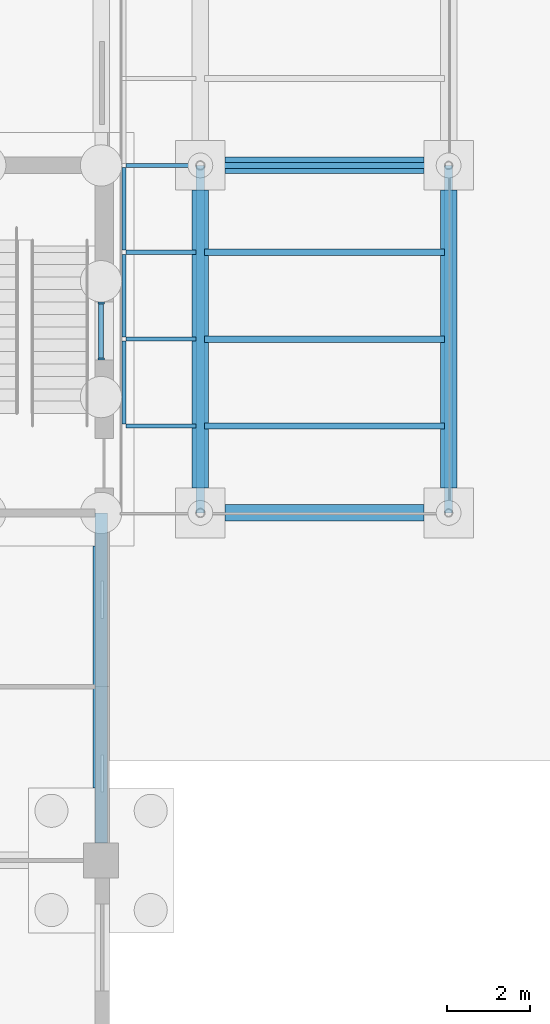
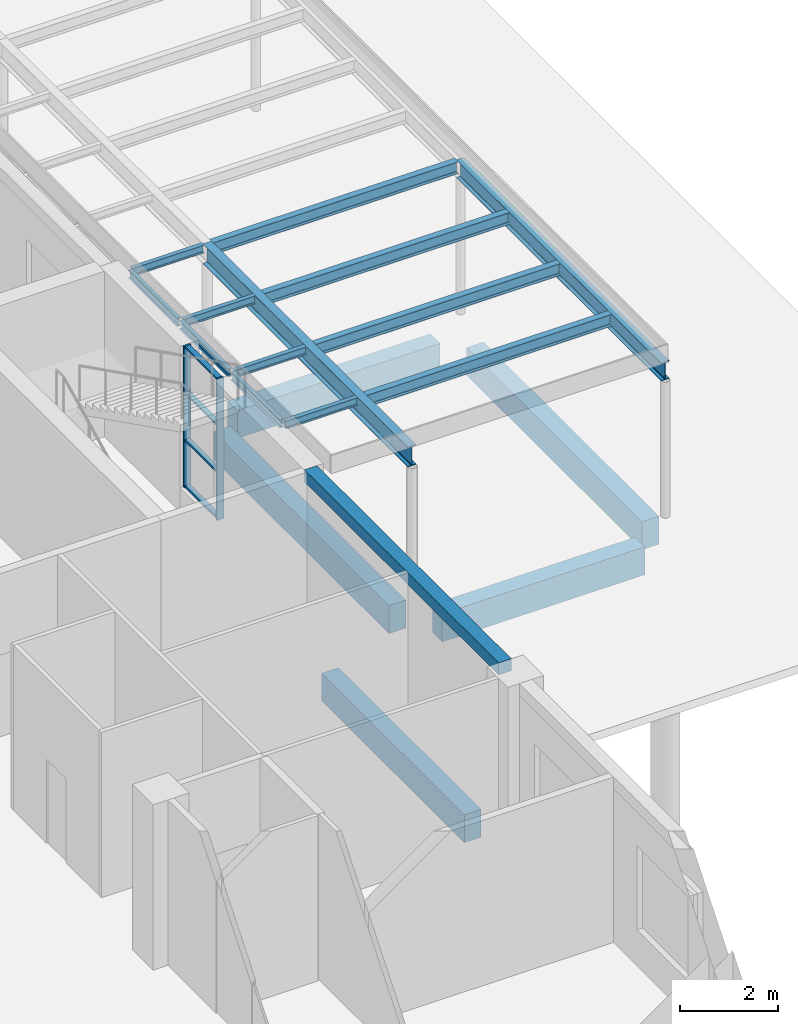
# One storey, part 69 of 138: 19 beams, 6 members, 1 element without a shape of its own.
"""IFC4 building model written with IfcOpenShell, lengths in metres."""

from ifc_helpers import new_model, si_unit, direction, frame, origin, origin_2d, place, context, subcontext, project, spatial, rectangle, i_section, extrude, material, material_profile, profile_set, type_object, element, aggregate, save


model = new_model("IFC4")

# Units and contexts
model_context = context("Model", 3, precision=1e-05, world=origin(), true_north=direction((0.0, 1.0)))
body_context = subcontext(model_context, "Body", "Model", "MODEL_VIEW")
ifc_project = project(units=[si_unit("LENGTHUNIT", "METRE"), si_unit("AREAUNIT", "SQUARE_METRE"), si_unit("VOLUMEUNIT", "CUBIC_METRE"), si_unit("PLANEANGLEUNIT", "RADIAN"), si_unit("MASSUNIT", "GRAM", prefix="KILO")], contexts=[model_context])

# Site, building, storey
site_placement = place(None, origin())
site = spatial("IfcSite", under=ifc_project, at=site_placement, CompositionType="ELEMENT")
building_placement = place(site_placement, origin())
building = spatial("IfcBuilding", under=site, at=building_placement, Name="Yavir Park General Hospital", CompositionType="ELEMENT")
storey_placement = place(building_placement, origin())
storey = spatial("IfcBuildingStorey", under=building, at=storey_placement, Name="L00", CompositionType="ELEMENT", Elevation=0.0)

# Beams
ifc_material_1 = material(Name="Steel S355", Category="steel")
ifc_material_profile_1 = material_profile(ifc_material_1, i_section(OverallWidth=0.10009765625, OverallDepth=0.199951171875, WebThickness=0.005615234375, FlangeThickness=0.008544921875, FilletRadius=0.011962890625, at=origin_2d()), Name="IPE200")
ifc_profile_set_1 = profile_set([ifc_material_profile_1], Name="Steel S355")
beam_type_1 = type_object("IfcBeamType", Name="IPE 200 cantilever secondary beam, up to 2 m", PredefinedType="JOIST", material=ifc_profile_set_1)
for number, where, z_axis, x_axis, name in (
    (1, (168.60009765625, 52.5, 3.75), (1.0, 0.0, 0.0), (0.0, 1.0, 0.0), "B:AMB:J1-0"),
    (2, (168.60009765625, 54.60009765625, 3.75), (1.0, 0.0, 0.0), (0.0, 1.0, 0.0), "B:AMB:J2-0"),
    (3, (168.60009765625, 56.699951171875, 3.75), (1.0, 0.0, 0.0), (0.0, 1.0, 0.0), "B:AMB:J3-0"),
    (4, (168.60009765625, 58.800048828125, 3.75), (1.0, 0.0, 0.0), (0.0, 1.0, 0.0), "B:AMB:J4-0"),
):
    element("IfcBeam", number, at=place(storey_placement, frame(where, z_axis=z_axis, x_axis=x_axis)), inside=storey, type_object=beam_type_1, Name=name, PredefinedType="JOIST", context=body_context, shape_type="SweptSolid", body=[
        extrude(i_section(OverallWidth=0.10009765625, OverallDepth=0.199951171875, WebThickness=0.005615234375, FlangeThickness=0.008544921875, FilletRadius=0.011962890625, at=origin_2d()), origin(), (0.0, 0.0, 1.0), 1.699951171875),
    ])
ifc_material_2 = material(Name="Steel S355", Category="steel")
ifc_material_profile_2 = material_profile(ifc_material_2, i_section(OverallWidth=0.10009765625, OverallDepth=0.199951171875, WebThickness=0.005615234375, FlangeThickness=0.008544921875, FilletRadius=0.011962890625, at=origin_2d()), Name="IPE200")
ifc_profile_set_2 = profile_set([ifc_material_profile_2], Name="Steel S355")
beam_type_2 = type_object("IfcBeamType", Name="IPE 200 edge trimmer, up to 2 m span", PredefinedType="BEAM", material=ifc_profile_set_2)
for number, where, z_axis, x_axis, name in (
    (5, (168.550048828125, 52.550048828125, 3.75), (0.0, 1.0, 0.0), (-1.0, 0.0, 0.0), "B:AMB:T1"),
    (6, (168.550048828125, 54.64990234375, 3.75), (0.0, 1.0, 0.0), (-1.0, 0.0, 0.0), "B:AMB:T2"),
    (7, (168.550048828125, 56.75, 3.75), (0.0, 1.0, 0.0), (-1.0, 0.0, 0.0), "B:AMB:T3"),
):
    element("IfcBeam", number, at=place(storey_placement, frame(where, z_axis=z_axis, x_axis=x_axis)), inside=storey, type_object=beam_type_2, Name=name, PredefinedType="BEAM", context=body_context, shape_type="SweptSolid", body=[
        extrude(i_section(OverallWidth=0.10009765625, OverallDepth=0.199951171875, WebThickness=0.005615234375, FlangeThickness=0.008544921875, FilletRadius=0.011962890625, at=origin_2d()), origin(), (0.0, 0.0, 1.0), 2.0),
    ])
ifc_material_3 = material(Name="Steel S355", Category="steel")
ifc_material_profile_3 = material_profile(ifc_material_3, i_section(OverallWidth=0.14990234375, OverallDepth=0.300048828125, WebThickness=0.007080078125, FlangeThickness=0.0107421875, FilletRadius=0.014892578125, at=origin_2d()), Name="IPE300")
ifc_profile_set_3 = profile_set([ifc_material_profile_3], Name="Steel S355")
beam_type_3 = type_object("IfcBeamType", Name="IPE 300 secondary beam, up to 6 m span", PredefinedType="JOIST", material=ifc_profile_set_3)
for number, where, z_axis, x_axis, name in (
    (8, (170.5, 52.5, 3.699951171875), (1.0, 0.0, 0.0), (0.0, 1.0, 0.0), "B:AMB:J1-1"),
    (9, (170.5, 54.60009765625, 3.699951171875), (1.0, 0.0, 0.0), (0.0, 1.0, 0.0), "B:AMB:J2-1"),
    (10, (170.5, 56.699951171875, 3.699951171875), (1.0, 0.0, 0.0), (0.0, 1.0, 0.0), "B:AMB:J3-1"),
    (11, (170.5, 58.800048828125, 3.699951171875), (1.0, 0.0, 0.0), (0.0, 1.0, 0.0), "B:AMB:J4-1"),
):
    element("IfcBeam", number, at=place(storey_placement, frame(where, z_axis=z_axis, x_axis=x_axis)), inside=storey, type_object=beam_type_3, Name=name, PredefinedType="JOIST", context=body_context, shape_type="SweptSolid", body=[
        extrude(i_section(OverallWidth=0.14990234375, OverallDepth=0.300048828125, WebThickness=0.007080078125, FlangeThickness=0.0107421875, FilletRadius=0.014892578125, at=origin_2d()), origin(), (0.0, 0.0, 1.0), 5.804931640625),
    ])
ifc_material_4 = material(Name="Steel S355", Category="steel")
ifc_material_profile_4 = material_profile(ifc_material_4, i_section(OverallWidth=0.18994140625, OverallDepth=0.449951171875, WebThickness=0.009521484375, FlangeThickness=0.0146484375, FilletRadius=0.02099609375, at=origin_2d()), Name="IPE450")
ifc_profile_set_4 = profile_set([ifc_material_profile_4], Name="Steel S355")
beam_type_4 = type_object("IfcBeamType", Name="IPE 450 main beam, outer row, up to 8.5 m span", PredefinedType="BEAM", material=ifc_profile_set_4)
beam_1_placement = place(storey_placement, frame((176.39990234375, 50.39990234375, 3.625), z_axis=(0.0, 1.0, 0.0), x_axis=(-1.0, 0.0, 0.0)))
element("IfcBeam", 12, at=beam_1_placement, inside=storey, type_object=beam_type_4, Name="B:AMB:M10", PredefinedType="BEAM", context=body_context, shape_type="SweptSolid", body=[
    extrude(i_section(OverallWidth=0.18994140625, OverallDepth=0.449951171875, WebThickness=0.009521484375, FlangeThickness=0.0146484375, FilletRadius=0.02099609375, at=origin_2d()), origin(), (0.0, 0.0, 1.0), 8.400146484375),
])
ifc_material_5 = material(Name="Steel S355", Category="steel")
ifc_material_profile_5 = material_profile(ifc_material_5, i_section(OverallWidth=0.199951171875, OverallDepth=0.5, WebThickness=0.01025390625, FlangeThickness=0.01611328125, FilletRadius=0.02099609375, at=origin_2d()), Name="IPE500")
ifc_profile_set_5 = profile_set([ifc_material_profile_5], Name="Steel S355")
beam_type_5 = type_object("IfcBeamType", Name="IPE 500 main beam, inner row, up to 8.5 m span", PredefinedType="BEAM", material=ifc_profile_set_5)
beam_2_placement = place(storey_placement, frame((170.39990234375, 50.39990234375, 3.60009765625), z_axis=(0.0, 1.0, 0.0), x_axis=(-1.0, 0.0, 0.0)))
element("IfcBeam", 13, at=beam_2_placement, inside=storey, type_object=beam_type_5, Name="B:AMB:M00", PredefinedType="BEAM", context=body_context, shape_type="SweptSolid", body=[
    extrude(i_section(OverallWidth=0.199951171875, OverallDepth=0.5, WebThickness=0.01025390625, FlangeThickness=0.01611328125, FilletRadius=0.02099609375, at=origin_2d()), origin(), (0.0, 0.0, 1.0), 8.400146484375),
])
ifc_material_6 = material(Name="Concrete C35/45", Category="concrete")
ifc_material_profile_6 = material_profile(ifc_material_6, rectangle(XDim=0.300048828125, YDim=0.300048828125, at=origin_2d()), Name="RC300x300")
ifc_profile_set_6 = profile_set([ifc_material_profile_6], Name="Concrete C35/45")
beam_type_6 = type_object("IfcBeamType", Name="RC BEAM 300x300 edge beam", PredefinedType="BEAM", material=ifc_profile_set_6)
beam_3_placement = place(storey_placement, frame((168.0, 42.425048828125, 3.989990234375), z_axis=(0.0, 1.0, 0.0), x_axis=(-1.0, 0.0, 0.0)))
element("IfcBeam", 14, at=beam_3_placement, inside=storey, type_object=beam_type_6, Name="B:EDGE:L00:056", PredefinedType="BEAM", context=body_context, shape_type="SweptSolid", body=[
    extrude(rectangle(XDim=0.300048828125, YDim=0.300048828125, at=origin_2d()), origin(), (0.0, 0.0, 1.0), 7.974853515625),
])
ifc_material_7 = material(Name="Concrete C35/45", Category="concrete")
ifc_material_profile_7 = material_profile(ifc_material_7, rectangle(XDim=0.39990234375, YDim=0.699951171875, at=origin_2d()), Name="RC400x700")
ifc_profile_set_7 = profile_set([ifc_material_profile_7], Name="Concrete C35/45")
beam_type_7 = type_object("IfcBeamType", Name="RC BEAM 400x700 ground beam", PredefinedType="BEAM", material=ifc_profile_set_7)
for number, where, z_axis, x_axis, name in (
    (15, (171.0, 50.39990234375, -0.800048828125), (1.0, 0.0, 0.0), (0.0, 1.0, 0.0), "B:GND:AMB:C00:AMB:C10"),
    (16, (171.0, 58.800048828125, -0.800048828125), (1.0, 0.0, 0.0), (0.0, 1.0, 0.0), "B:GND:AMB:C01:AMB:C11"),
):
    element("IfcBeam", number, at=place(storey_placement, frame(where, z_axis=z_axis, x_axis=x_axis)), inside=storey, type_object=beam_type_7, Name=name, PredefinedType="BEAM", context=body_context, shape_type="SweptSolid", body=[
        extrude(rectangle(XDim=0.39990234375, YDim=0.699951171875, at=origin_2d()), origin(), (0.0, 0.0, 1.0), 4.800048828125),
    ])
for number, where, z_axis, x_axis, name in (
    (17, (170.39990234375, 51.0, -0.800048828125), (0.0, 1.0, 0.0), (-1.0, 0.0, 0.0), "B:GND:AMB:C00:AMB:C01"),
    (18, (176.39990234375, 51.0, -0.800048828125), (0.0, 1.0, 0.0), (-1.0, 0.0, 0.0), "B:GND:AMB:C10:AMB:C11"),
):
    element("IfcBeam", number, at=place(storey_placement, frame(where, z_axis=z_axis, x_axis=x_axis)), inside=storey, type_object=beam_type_7, Name=name, PredefinedType="BEAM", context=body_context, shape_type="SweptSolid", body=[
        extrude(rectangle(XDim=0.39990234375, YDim=0.699951171875, at=origin_2d()), origin(), (0.0, 0.0, 1.0), 7.199951171875),
    ])
beam_4_placement = place(storey_placement, frame((168.0, 43.75, -0.800048828125), z_axis=(0.0, 1.0, 0.0), x_axis=(-1.0, 0.0, 0.0)))
element("IfcBeam", 19, at=beam_4_placement, inside=storey, type_object=beam_type_7, Name="B:GND:L00:21F:L00:ES1", PredefinedType="BEAM", context=body_context, shape_type="SweptSolid", body=[
    extrude(rectangle(XDim=0.39990234375, YDim=0.699951171875, at=origin_2d()), origin(), (0.0, 0.0, 1.0), 5.85009765625),
])

# Curtain wall, members
ifc_material_8 = material(Name="Aluminium curtain wall frame with insulated glazing", Category="aluminium")
curtain_wall_type = type_object("IfcCurtainWallType", Name="Stair light slot, ground floor, 3540 high, 1400 module", PredefinedType="NOTDEFINED", material=ifc_material_8)
curtain_wall_placement = place(storey_placement, origin())
curtain_wall = element("IfcCurtainWall", 20, at=curtain_wall_placement, inside=storey, type_object=curtain_wall_type, Name="CW19 L00-074", PredefinedType="NOTDEFINED")
ifc_material_9 = material(Name="Aluminium", Category="aluminium")
ifc_material_profile_8 = material_profile(ifc_material_9, rectangle(XDim=0.159912109375, YDim=0.050048828125, at=origin_2d()), Name="AL 50x160")
ifc_profile_set_8 = profile_set([ifc_material_profile_8], Name="Aluminium")
member_type_1 = type_object("IfcMemberType", Name="Stair light slot, ground floor, 3540 high mullion 50 x 160", PredefinedType="MULLION", material=ifc_profile_set_8)
member_1_placement = place(storey_placement, frame((168.0, 54.125, 0.60009765625), z_axis=(0.0, 0.0, 1.0), x_axis=(-1.0, 0.0, 0.0)))
member_1 = element("IfcMember", 21, at=member_1_placement, type_object=member_type_1, Name="CW19 mullion 1", PredefinedType="MULLION", context=body_context, shape_type="SweptSolid", body=[
    extrude(rectangle(XDim=0.159912109375, YDim=0.050048828125, at=origin_2d()), origin(), (0.0, 0.0, 1.0), 3.539794921875),
])
member_2_placement = place(storey_placement, frame((168.0, 55.47509765625, 0.60009765625), z_axis=(0.0, 0.0, 1.0), x_axis=(-1.0, 0.0, 0.0)))
member_2 = element("IfcMember", 22, at=member_2_placement, type_object=member_type_1, Name="CW19 mullion 2", PredefinedType="MULLION", context=body_context, shape_type="SweptSolid", body=[
    extrude(rectangle(XDim=0.159912109375, YDim=0.050048828125, at=origin_2d()), origin(), (0.0, 0.0, 1.0), 3.539794921875),
])
ifc_material_10 = material(Name="Aluminium", Category="aluminium")
ifc_material_profile_9 = material_profile(ifc_material_10, rectangle(XDim=0.1201171875, YDim=0.050048828125, at=origin_2d()), Name="AL 120x50")
ifc_profile_set_9 = profile_set([ifc_material_profile_9], Name="Aluminium")
member_type_2 = type_object("IfcMemberType", Name="Stair light slot, ground floor, 3540 high transom 50 x 120", PredefinedType="MULLION", material=ifc_profile_set_9)
member_3_placement = place(storey_placement, frame((168.0, 54.14990234375, 0.625), z_axis=(0.0, 1.0, 0.0), x_axis=(-1.0, 0.0, 0.0)))
member_3 = element("IfcMember", 23, at=member_3_placement, type_object=member_type_2, Name="CW19 transom 1.1", PredefinedType="MULLION", context=body_context, shape_type="SweptSolid", body=[
    extrude(rectangle(XDim=0.1201171875, YDim=0.050048828125, at=origin_2d()), origin(), (0.0, 0.0, 1.0), 1.300048828125),
])
member_4_placement = place(storey_placement, frame((168.0, 54.14990234375, 1.780029296875), z_axis=(0.0, 1.0, 0.0), x_axis=(-1.0, 0.0, 0.0)))
member_4 = element("IfcMember", 24, at=member_4_placement, type_object=member_type_2, Name="CW19 transom 1.2", PredefinedType="MULLION", context=body_context, shape_type="SweptSolid", body=[
    extrude(rectangle(XDim=0.1201171875, YDim=0.050048828125, at=origin_2d()), origin(), (0.0, 0.0, 1.0), 1.300048828125),
])
member_5_placement = place(storey_placement, frame((168.0, 54.14990234375, 2.9599609375), z_axis=(0.0, 1.0, 0.0), x_axis=(-1.0, 0.0, 0.0)))
member_5 = element("IfcMember", 25, at=member_5_placement, type_object=member_type_2, Name="CW19 transom 1.3", PredefinedType="MULLION", context=body_context, shape_type="SweptSolid", body=[
    extrude(rectangle(XDim=0.1201171875, YDim=0.050048828125, at=origin_2d()), origin(), (0.0, 0.0, 1.0), 1.300048828125),
])
member_6_placement = place(storey_placement, frame((168.0, 54.14990234375, 4.114990234375), z_axis=(0.0, 1.0, 0.0), x_axis=(-1.0, 0.0, 0.0)))
member_6 = element("IfcMember", 26, at=member_6_placement, type_object=member_type_2, Name="CW19 transom 1.4", PredefinedType="MULLION", context=body_context, shape_type="SweptSolid", body=[
    extrude(rectangle(XDim=0.1201171875, YDim=0.050048828125, at=origin_2d()), origin(), (0.0, 0.0, 1.0), 1.300048828125),
])
aggregate(curtain_wall, [member_1, member_2, member_3, member_4, member_5, member_6])

save(model, "model.ifc")
